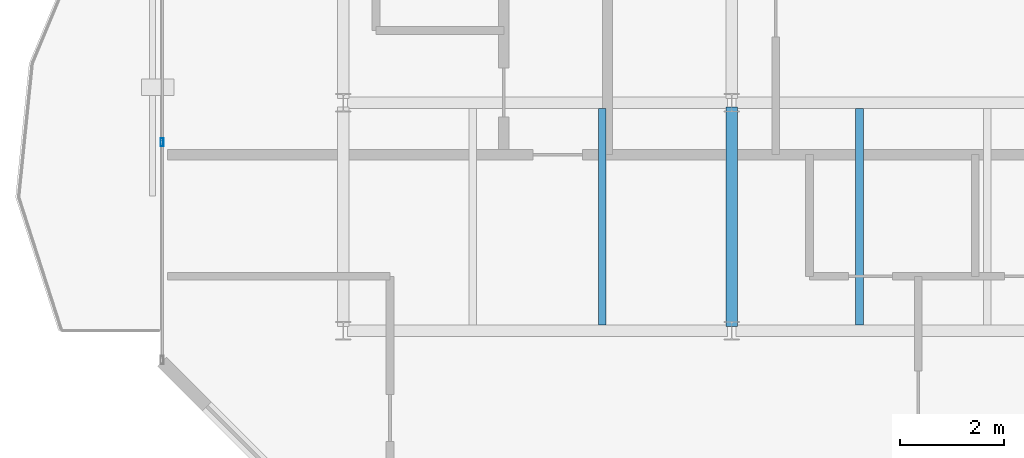
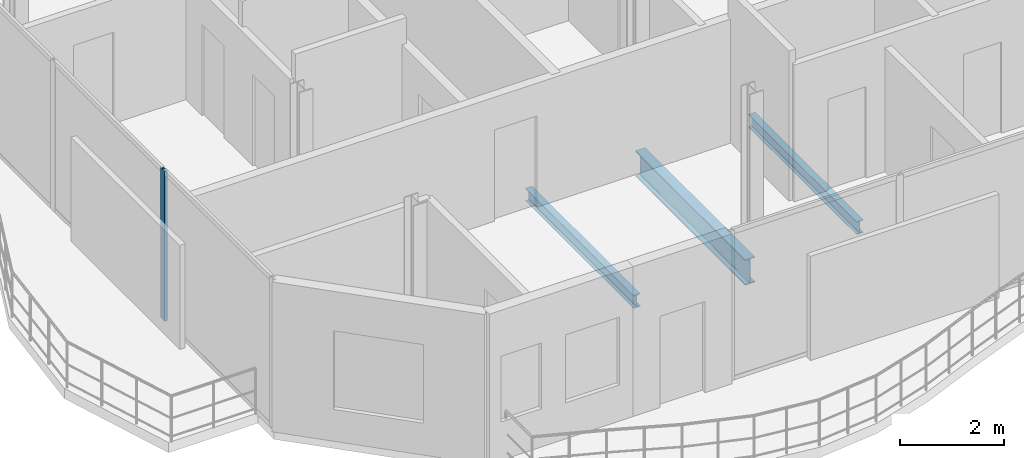
# One storey, part 5 of 22: 3 beams, 1 member, 1 element without a shape of its own.
"""IFC4 building model written with IfcOpenShell, lengths in metres."""

from ifc_helpers import new_model, si_unit, direction, frame, origin, origin_2d, place, context, subcontext, project, spatial, hollow_rectangle, i_section, extrude, material, layer, layer_set, material_profile, profile_set, type_object, element, aggregate, save


model = new_model("IFC4")

# Units and contexts
model_context = context("Model", 3, precision=1e-05, world=origin(), true_north=direction((0.0, 1.0)))
body_context = subcontext(model_context, "Body", "Model", "MODEL_VIEW")
ifc_project = project(units=[si_unit("LENGTHUNIT", "METRE"), si_unit("AREAUNIT", "SQUARE_METRE"), si_unit("VOLUMEUNIT", "CUBIC_METRE"), si_unit("PLANEANGLEUNIT", "RADIAN"), si_unit("MASSUNIT", "GRAM", prefix="KILO")], contexts=[model_context])

# Site, building, storey
site_placement = place(None, origin())
site = spatial("IfcSite", under=ifc_project, at=site_placement, CompositionType="ELEMENT")
building_placement = place(site_placement, origin())
building = spatial("IfcBuilding", under=site, at=building_placement, Name="Catumbela Crestline Tower", CompositionType="ELEMENT")
storey_placement = place(building_placement, frame((0.0, 0.0, 222.2)))
storey = spatial("IfcBuildingStorey", under=building, at=storey_placement, Name="L57", CompositionType="ELEMENT", Elevation=222.2)

# Beams
ifc_material_1 = material(Name="Structural steel S355J2", Category="steel")
ifc_material_profile_1 = material_profile(ifc_material_1, i_section(OverallWidth=0.22, OverallDepth=0.6, WebThickness=0.012, FlangeThickness=0.019, FilletRadius=0.024, at=origin_2d()), Name="IPE 600")
ifc_profile_set_1 = profile_set([ifc_material_profile_1], Name="Structural steel S355J2")
beam_type_1 = type_object("IfcBeamType", Name="BG-IPE600", PredefinedType="BEAM", material=ifc_profile_set_1)
beam_placement = place(storey_placement, frame((16.0, 13.68, -0.56), z_axis=(0.0, 1.0, 0.0), x_axis=(-1.0, 0.0, 0.0)))
element("IfcBeam", 1, at=beam_placement, inside=storey, type_object=beam_type_1, Name="L57 Beam BM-L57-WNS33", PredefinedType="BEAM", context=body_context, shape_type="SweptSolid", body=[
    extrude(i_section(OverallWidth=0.22, OverallDepth=0.6, WebThickness=0.012, FlangeThickness=0.019, FilletRadius=0.024, at=origin_2d()), origin(), (0.0, 0.0, 1.0), 4.24),
])
ifc_material_profile_2 = material_profile(ifc_material_1, i_section(OverallWidth=0.15, OverallDepth=0.3, WebThickness=0.0071, FlangeThickness=0.0107, FilletRadius=0.015, at=origin_2d()), Name="IPE 300")
ifc_profile_set_2 = profile_set([ifc_material_profile_2], Name="Structural steel S355J2")
beam_type_2 = type_object("IfcBeamType", Name="BJ-IPE300", PredefinedType="JOIST", material=ifc_profile_set_2)
for number, where, z_axis, x_axis, name in (
    (2, (13.5, 13.71, -0.41), (0.0, 1.0, 0.0), (-1.0, 0.0, 0.0), "L57 Joist JS-L57-WG37"),
    (3, (18.467, 13.71, -0.41), (0.0, 1.0, 0.0), (-1.0, 0.0, 0.0), "L57 Joist JS-L57-WG38"),
):
    element("IfcBeam", number, at=place(storey_placement, frame(where, z_axis=z_axis, x_axis=x_axis)), inside=storey, type_object=beam_type_2, Name=name, PredefinedType="JOIST", context=body_context, shape_type="SweptSolid", body=[
        extrude(i_section(OverallWidth=0.15, OverallDepth=0.3, WebThickness=0.0071, FlangeThickness=0.0107, FilletRadius=0.015, at=origin_2d()), origin(), (0.0, 0.0, 1.0), 4.18),
    ])

# Curtain wall, member
ifc_material_2 = material(Name="Aluminium alloy AW-6060-T66", Category="aluminium")
ifc_layer = layer(ifc_material_2, 0.18, Name="Aluminium alloy AW-6060-T66")
ifc_layer_set = layer_set([ifc_layer], Name="Aluminium alloy AW-6060-T66")
curtain_wall_type = type_object("IfcCurtainWallType", Name="CWU-Z4", PredefinedType="USERDEFINED", material=ifc_layer_set)
curtain_wall_placement = place(storey_placement, origin())
curtain_wall = element("IfcCurtainWall", 4, at=curtain_wall_placement, inside=storey, type_object=curtain_wall_type, Name="L57 Unitised Curtain Wall CW-L57-E9S2", ObjectType="UNITISED", PredefinedType="USERDEFINED")
ifc_material_profile_3 = material_profile(ifc_material_2, hollow_rectangle(XDim=0.06, YDim=0.16, WallThickness=0.004, at=origin_2d()), Name="ALU 160x60x4")
ifc_profile_set_3 = profile_set([ifc_material_profile_3], Name="Aluminium alloy AW-6060-T66")
member_type = type_object("IfcMemberType", Name="MUL-160X60", PredefinedType="MULLION", material=ifc_profile_set_3)
member_placement = place(storey_placement, frame((5.0, 17.24, 0.0), z_axis=(0.0, 0.0, 1.0), x_axis=(1.0, 0.0, 0.0)))
member = element("IfcMember", 5, at=member_placement, type_object=member_type, Name="CWU-Z4 mullion 5", PredefinedType="MULLION", context=body_context, shape_type="SweptSolid", body=[
    extrude(hollow_rectangle(XDim=0.06, YDim=0.16, WallThickness=0.004, at=origin_2d()), origin(), (0.0, 0.0, 1.0), 3.53),
])
aggregate(curtain_wall, [member])

save(model, "model.ifc")
